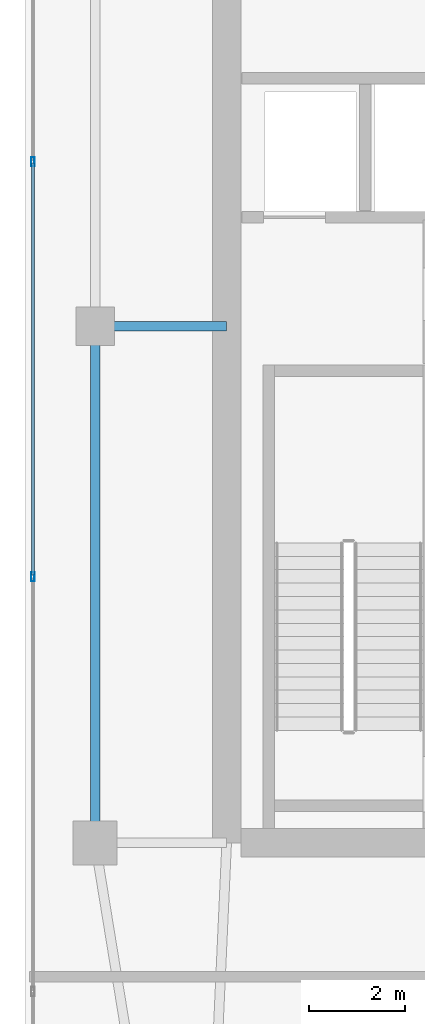
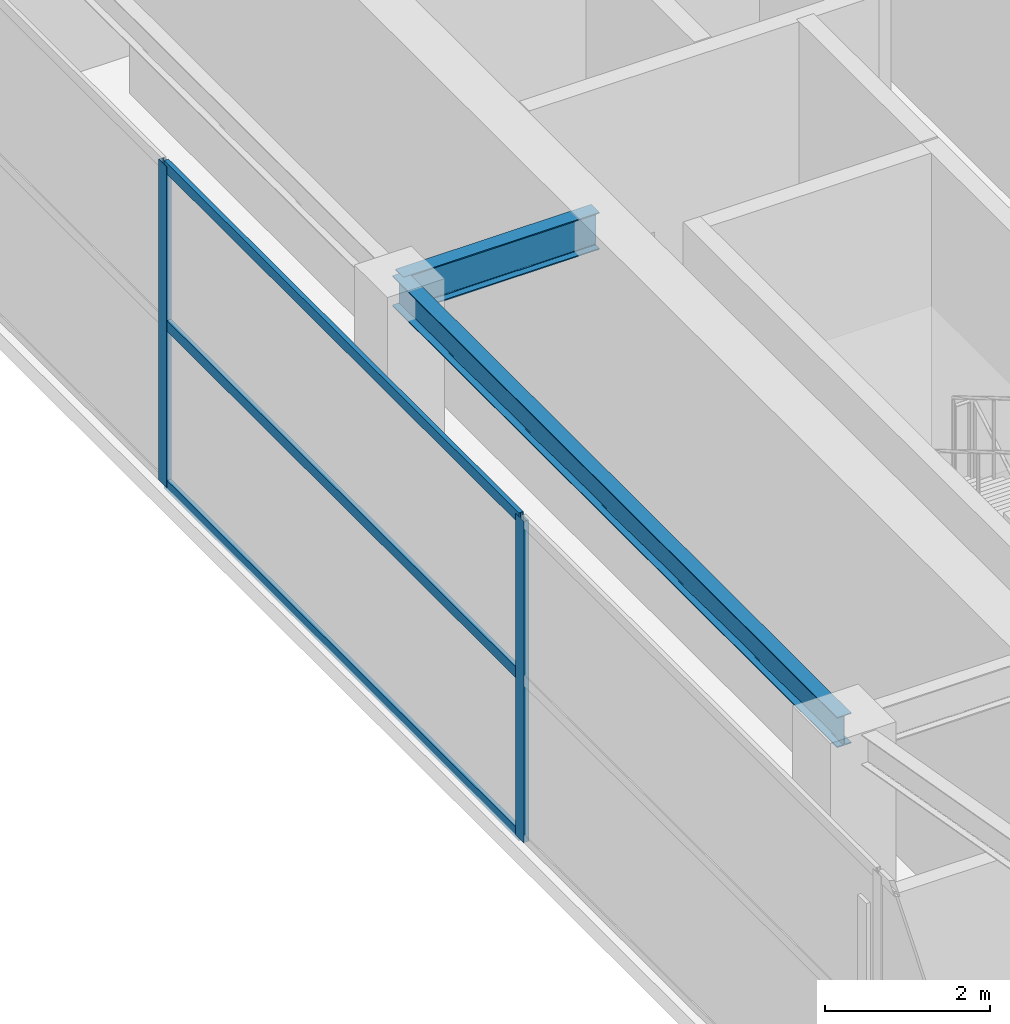
# One storey, part 11 of 22: 5 members, 2 beams, 1 element without a shape of its own.
"""IFC4 building model written with IfcOpenShell, lengths in metres."""

from ifc_helpers import new_model, si_unit, direction, frame, origin, origin_2d, place, context, subcontext, project, spatial, hollow_rectangle, i_section, extrude, material, layer, layer_set, material_profile, profile_set, type_object, element, aggregate, save


model = new_model("IFC4")

# Units and contexts
model_context = context("Model", 3, precision=1e-05, world=origin(), true_north=direction((0.0, 1.0)))
body_context = subcontext(model_context, "Body", "Model", "MODEL_VIEW")
ifc_project = project(units=[si_unit("LENGTHUNIT", "METRE"), si_unit("AREAUNIT", "SQUARE_METRE"), si_unit("VOLUMEUNIT", "CUBIC_METRE"), si_unit("PLANEANGLEUNIT", "RADIAN"), si_unit("MASSUNIT", "GRAM", prefix="KILO")], contexts=[model_context])

# Site, building, storey
site_placement = place(None, origin())
site = spatial("IfcSite", under=ifc_project, at=site_placement, CompositionType="ELEMENT")
building_placement = place(site_placement, origin())
building = spatial("IfcBuilding", under=site, at=building_placement, Name="Calvorn Quay Hotel", CompositionType="ELEMENT")
storey_placement = place(building_placement, frame((0.0, 0.0, 325.5)))
storey = spatial("IfcBuildingStorey", under=building, at=storey_placement, Name="L80", CompositionType="ELEMENT", Elevation=325.5)

# Beams
ifc_material_1 = material(Name="Steel Q355B", Category="steel")
ifc_material_profile_1 = material_profile(ifc_material_1, i_section(OverallWidth=0.199951171875, OverallDepth=0.550048828125, WebThickness=0.010009765625, FlangeThickness=0.01611328125, FilletRadius=0.01806640625, at=origin_2d()), Name="HN550x200x10x16")
ifc_profile_set_1 = profile_set([ifc_material_profile_1], Name="Steel Q355B")
beam_type_1 = type_object("IfcBeamType", Name="BM-GIRD-UPP", PredefinedType="BEAM", material=ifc_profile_set_1)
beam_1_placement = place(storey_placement, frame((1.449951171875, 27.60009765625, 4.465087890625), z_axis=(1.0, 0.0, 0.0), x_axis=(0.0, 1.0, 0.0)))
element("IfcBeam", 1, at=beam_1_placement, inside=storey, type_object=beam_type_1, Name="Beam BG-L80-W2", PredefinedType="BEAM", context=body_context, shape_type="SweptSolid", body=[
    extrude(i_section(OverallWidth=0.199951171875, OverallDepth=0.550048828125, WebThickness=0.010009765625, FlangeThickness=0.01611328125, FilletRadius=0.01806640625, at=origin_2d()), origin(), (0.0, 0.0, 1.0), 2.75),
])
ifc_material_2 = material(Name="Steel Q355B", Category="steel")
ifc_material_profile_2 = material_profile(ifc_material_2, i_section(OverallWidth=0.199951171875, OverallDepth=0.449951171875, WebThickness=0.009033203125, FlangeThickness=0.013916015625, FilletRadius=0.01611328125, at=origin_2d()), Name="HN450x200x9x14")
ifc_profile_set_2 = profile_set([ifc_material_profile_2], Name="Steel Q355B")
beam_type_2 = type_object("IfcBeamType", Name="BM-SPANDREL-Z3", PredefinedType="SPANDREL", material=ifc_profile_set_2)
beam_2_placement = place(storey_placement, frame((1.449951171875, 16.800048828125, 4.514892578125), z_axis=(0.0, 1.0, 0.0), x_axis=(-1.0, 0.0, 0.0)))
element("IfcBeam", 2, at=beam_2_placement, inside=storey, type_object=beam_type_2, Name="Beam BSP-L80-W2", PredefinedType="SPANDREL", context=body_context, shape_type="SweptSolid", body=[
    extrude(i_section(OverallWidth=0.199951171875, OverallDepth=0.449951171875, WebThickness=0.009033203125, FlangeThickness=0.013916015625, FilletRadius=0.01611328125, at=origin_2d()), origin(), (0.0, 0.0, 1.0), 10.800048828125),
])

# Curtain wall, members
ifc_material_3 = material(Name="Pale Anodised Aluminium and Laminated Glass", Category="aluminium")
ifc_layer = layer(ifc_material_3, 0.219970703125)
ifc_layer_set = layer_set([ifc_layer], Name="CW-SYS-CRN")
curtain_wall_type = type_object("IfcCurtainWallType", Name="CW-SYS-CRN", PredefinedType="NOTDEFINED", material=ifc_layer_set)
curtain_wall_placement = place(storey_placement, origin())
curtain_wall = element("IfcCurtainWall", 3, at=curtain_wall_placement, inside=storey, type_object=curtain_wall_type, Name="Crown Curtain Wall L80-C5", PredefinedType="NOTDEFINED")
ifc_material_4 = material(Name="Pale Anodised Aluminium 6063-T6", Category="aluminium")
ifc_material_profile_3 = material_profile(ifc_material_4, hollow_rectangle(XDim=0.072021484375, YDim=0.195068359375, WallThickness=0.00390625, at=origin_2d()), Name="ALU-M195x72x4")
ifc_profile_set_3 = profile_set([ifc_material_profile_3], Name="Pale Anodised Aluminium 6063-T6")
member_type_1 = type_object("IfcMemberType", Name="CW-SYS-CRN-MUL", PredefinedType="MULLION", material=ifc_profile_set_3)
member_1_placement = place(storey_placement, frame((0.14990234375, 31.035888671875, 0.0), z_axis=(0.0, 0.0, 1.0), x_axis=(1.0, 0.0, 0.0)))
member_1 = element("IfcMember", 4, at=member_1_placement, type_object=member_type_1, Name="CW-L80-C5 mullion 3", PredefinedType="MULLION", context=body_context, shape_type="SweptSolid", body=[
    extrude(hollow_rectangle(XDim=0.072021484375, YDim=0.195068359375, WallThickness=0.00390625, at=origin_2d()), origin(), (0.0, 0.0, 1.0), 4.760009765625),
])
member_2_placement = place(storey_placement, frame((0.14990234375, 22.364013671875, 0.0), z_axis=(0.0, 0.0, 1.0), x_axis=(1.0, 0.0, 0.0)))
member_2 = element("IfcMember", 5, at=member_2_placement, type_object=member_type_1, Name="CW-L80-C5 mullion 4", PredefinedType="MULLION", context=body_context, shape_type="SweptSolid", body=[
    extrude(hollow_rectangle(XDim=0.072021484375, YDim=0.195068359375, WallThickness=0.00390625, at=origin_2d()), origin(), (0.0, 0.0, 1.0), 4.760009765625),
])
ifc_material_5 = material(Name="Pale Anodised Aluminium 6063-T6", Category="aluminium")
ifc_material_profile_4 = material_profile(ifc_material_5, hollow_rectangle(XDim=0.06201171875, YDim=0.159912109375, WallThickness=0.00341796875, at=origin_2d()), Name="ALU-T160x62x3.5")
ifc_profile_set_4 = profile_set([ifc_material_profile_4], Name="Pale Anodised Aluminium 6063-T6")
member_type_2 = type_object("IfcMemberType", Name="CW-SYS-CRN-TRN", PredefinedType="USERDEFINED", material=ifc_profile_set_4)
member_3_placement = place(storey_placement, frame((0.14990234375, 31.006103515625, 0.030029296875), z_axis=(0.0, -1.0, 0.0), x_axis=(1.0, 0.0, 0.0)))
member_3 = element("IfcMember", 6, at=member_3_placement, type_object=member_type_2, Name="CW-L80-C5 transom 3.1", ObjectType="TRANSOM", PredefinedType="USERDEFINED", context=body_context, shape_type="SweptSolid", body=[
    extrude(hollow_rectangle(XDim=0.06201171875, YDim=0.159912109375, WallThickness=0.00341796875, at=origin_2d()), origin(), (0.0, 0.0, 1.0), 8.612060546875),
])
member_4_placement = place(storey_placement, frame((0.14990234375, 31.006103515625, 2.39990234375), z_axis=(0.0, -1.0, 0.0), x_axis=(1.0, 0.0, 0.0)))
member_4 = element("IfcMember", 7, at=member_4_placement, type_object=member_type_2, Name="CW-L80-C5 transom 3.2", ObjectType="TRANSOM", PredefinedType="USERDEFINED", context=body_context, shape_type="SweptSolid", body=[
    extrude(hollow_rectangle(XDim=0.06201171875, YDim=0.159912109375, WallThickness=0.00341796875, at=origin_2d()), origin(), (0.0, 0.0, 1.0), 8.612060546875),
])
member_5_placement = place(storey_placement, frame((0.14990234375, 31.006103515625, 4.72998046875), z_axis=(0.0, -1.0, 0.0), x_axis=(1.0, 0.0, 0.0)))
member_5 = element("IfcMember", 8, at=member_5_placement, type_object=member_type_2, Name="CW-L80-C5 transom 3.3", ObjectType="TRANSOM", PredefinedType="USERDEFINED", context=body_context, shape_type="SweptSolid", body=[
    extrude(hollow_rectangle(XDim=0.06201171875, YDim=0.159912109375, WallThickness=0.00341796875, at=origin_2d()), origin(), (0.0, 0.0, 1.0), 8.612060546875),
])
aggregate(curtain_wall, [member_1, member_2, member_3, member_4, member_5])

save(model, "model.ifc")
